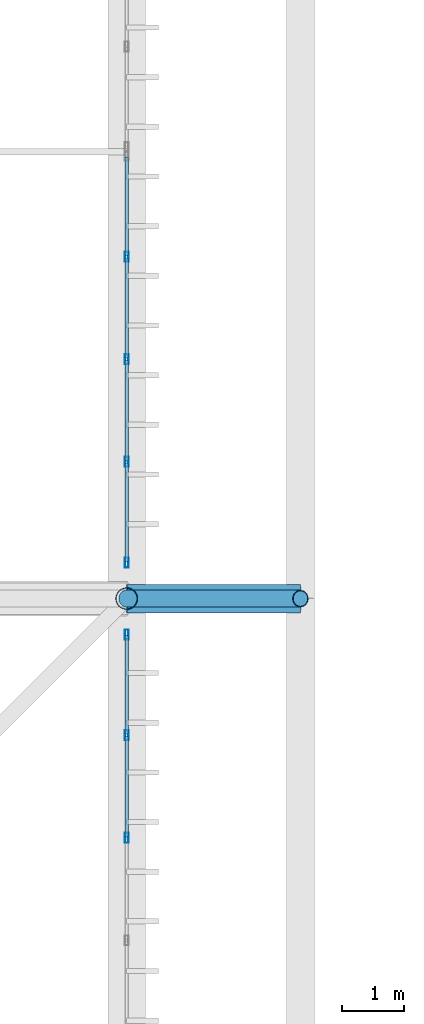
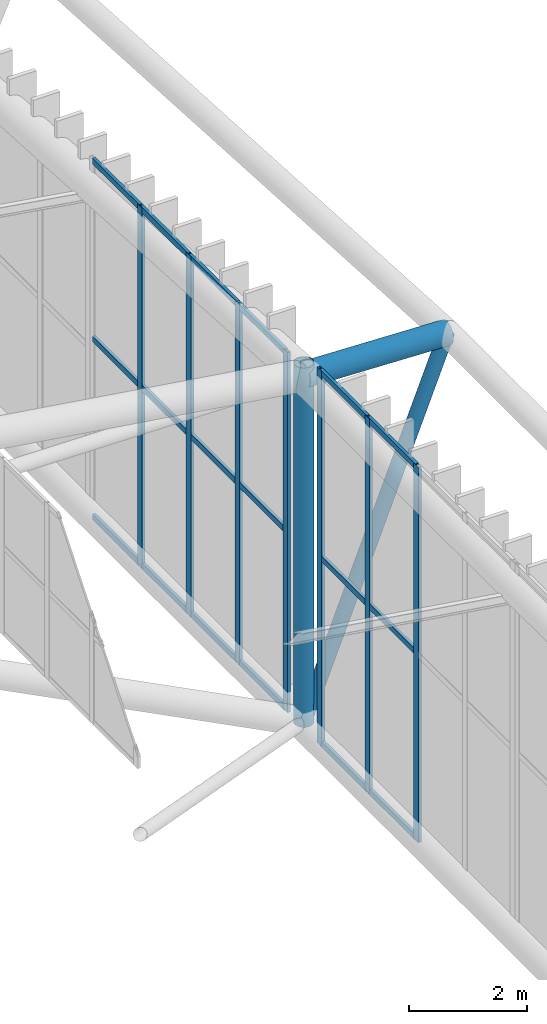
# One storey, part 282 of 397: 27 members, 1 beam, 2 elements without a shape of their own.
"""IFC4 building model written with IfcOpenShell, lengths in metres."""

from ifc_helpers import new_model, si_unit, direction, frame, origin, origin_2d, place, context, subcontext, project, spatial, hollow_rectangle, hollow_circle, extrude, material, material_profile, profile_set, type_object, element, aggregate, save


model = new_model("IFC4")

# Units and contexts
model_context = context("Model", 3, precision=1e-05, world=origin(), true_north=direction((0.0, 1.0)))
body_context = subcontext(model_context, "Body", "Model", "MODEL_VIEW")
ifc_project = project(units=[si_unit("LENGTHUNIT", "METRE"), si_unit("AREAUNIT", "SQUARE_METRE"), si_unit("VOLUMEUNIT", "CUBIC_METRE"), si_unit("PLANEANGLEUNIT", "RADIAN"), si_unit("MASSUNIT", "GRAM", prefix="KILO")], contexts=[model_context])

# Site, building, storey
site_placement = place(None, origin())
site = spatial("IfcSite", under=ifc_project, at=site_placement, CompositionType="ELEMENT")
building_placement = place(site_placement, origin())
building = spatial("IfcBuilding", under=site, at=building_placement, Name="Qandorah Velis Arena", CompositionType="ELEMENT")
storey_placement = place(building_placement, frame((0.0, 0.0, 27.5)))
storey = spatial("IfcBuildingStorey", under=building, at=storey_placement, Name="RF", CompositionType="ELEMENT", Elevation=27.5)

# Curtain wall, members
ifc_material_1 = material(Name="Solar-control low-E double glazing", Category="glass")
curtain_wall_type = type_object("IfcCurtainWallType", Name="ARC-CW-SYS14", PredefinedType="USERDEFINED", material=ifc_material_1)
curtain_wall_1_placement = place(storey_placement, origin())
curtain_wall_1 = element("IfcCurtainWall", 1, at=curtain_wall_1_placement, inside=storey, type_object=curtain_wall_type, Name="Unitised curtain wall CROWN-2-05S2", ObjectType="UNITISED CURTAIN WALL", PredefinedType="USERDEFINED")
ifc_material_2 = material(Name="Champagne-bronze anodized aluminium 6063-T6", Category="aluminium")
ifc_material_profile_1 = material_profile(ifc_material_2, hollow_rectangle(XDim=0.06005859375, YDim=0.159912109375, WallThickness=0.00341796875, at=origin_2d()), Name="ALU MULLION 60x160")
ifc_profile_set_1 = profile_set([ifc_material_profile_1], Name="Champagne-bronze anodized aluminium 6063-T6")
member_type_1 = type_object("IfcMemberType", Name="ARC-CWM-160", PredefinedType="MULLION", material=ifc_profile_set_1)
member_1_placement = place(storey_placement, frame((115.199951171875, 68.14501953125, -0.014892578125), z_axis=(0.0, 0.0, 1.0), x_axis=(-1.0, 0.0, 0.0)))
member_1 = element("IfcMember", 2, at=member_1_placement, type_object=member_type_1, Name="CW14 mullion 3", PredefinedType="MULLION", context=body_context, shape_type="SweptSolid", body=[
    extrude(hollow_rectangle(XDim=0.06005859375, YDim=0.159912109375, WallThickness=0.00341796875, at=origin_2d()), origin(), (0.0, 0.0, 1.0), 7.764892578125),
])
member_2_placement = place(storey_placement, frame((115.199951171875, 69.797607421875, -0.014892578125), z_axis=(0.0, 0.0, 1.0), x_axis=(-1.0, 0.0, 0.0)))
member_2 = element("IfcMember", 3, at=member_2_placement, type_object=member_type_1, Name="CW14 mullion 4", PredefinedType="MULLION", context=body_context, shape_type="SweptSolid", body=[
    extrude(hollow_rectangle(XDim=0.06005859375, YDim=0.159912109375, WallThickness=0.00341796875, at=origin_2d()), origin(), (0.0, 0.0, 1.0), 7.764892578125),
])
member_3_placement = place(storey_placement, frame((115.199951171875, 71.419921875, -0.014892578125), z_axis=(0.0, 0.0, 1.0), x_axis=(-1.0, 0.0, 0.0)))
member_3 = element("IfcMember", 4, at=member_3_placement, type_object=member_type_1, Name="CW14 mullion 5", PredefinedType="MULLION", context=body_context, shape_type="SweptSolid", body=[
    extrude(hollow_rectangle(XDim=0.06005859375, YDim=0.159912109375, WallThickness=0.00341796875, at=origin_2d()), origin(), (0.0, 0.0, 1.0), 7.764892578125),
])

curtain_wall_2_placement = place(storey_placement, origin())
curtain_wall_2 = element("IfcCurtainWall", 5, at=curtain_wall_2_placement, inside=storey, type_object=curtain_wall_type, Name="Unitised curtain wall CROWN-2-06S1", ObjectType="UNITISED CURTAIN WALL", PredefinedType="USERDEFINED")
member_4_placement = place(storey_placement, frame((115.199951171875, 72.580078125, -0.014892578125), z_axis=(0.0, 0.0, 1.0), x_axis=(-1.0, 0.0, 0.0)))
member_4 = element("IfcMember", 6, at=member_4_placement, type_object=member_type_1, Name="CW14 mullion 1", PredefinedType="MULLION", context=body_context, shape_type="SweptSolid", body=[
    extrude(hollow_rectangle(XDim=0.06005859375, YDim=0.159912109375, WallThickness=0.00341796875, at=origin_2d()), origin(), (0.0, 0.0, 1.0), 7.452392578125),
])
member_5_placement = place(storey_placement, frame((115.199951171875, 74.202392578125, -0.014892578125), z_axis=(0.0, 0.0, 1.0), x_axis=(-1.0, 0.0, 0.0)))
member_5 = element("IfcMember", 7, at=member_5_placement, type_object=member_type_1, Name="CW14 mullion 2", PredefinedType="MULLION", context=body_context, shape_type="SweptSolid", body=[
    extrude(hollow_rectangle(XDim=0.06005859375, YDim=0.159912109375, WallThickness=0.00341796875, at=origin_2d()), origin(), (0.0, 0.0, 1.0), 7.452392578125),
])
member_6_placement = place(storey_placement, frame((115.199951171875, 75.85498046875, -0.014892578125), z_axis=(0.0, 0.0, 1.0), x_axis=(-1.0, 0.0, 0.0)))
member_6 = element("IfcMember", 8, at=member_6_placement, type_object=member_type_1, Name="CW14 mullion 3", PredefinedType="MULLION", context=body_context, shape_type="SweptSolid", body=[
    extrude(hollow_rectangle(XDim=0.06005859375, YDim=0.159912109375, WallThickness=0.00341796875, at=origin_2d()), origin(), (0.0, 0.0, 1.0), 7.452392578125),
])
member_7_placement = place(storey_placement, frame((115.199951171875, 77.507568359375, -0.014892578125), z_axis=(0.0, 0.0, 1.0), x_axis=(-1.0, 0.0, 0.0)))
member_7 = element("IfcMember", 9, at=member_7_placement, type_object=member_type_1, Name="CW14 mullion 4", PredefinedType="MULLION", context=body_context, shape_type="SweptSolid", body=[
    extrude(hollow_rectangle(XDim=0.06005859375, YDim=0.159912109375, WallThickness=0.00341796875, at=origin_2d()), origin(), (0.0, 0.0, 1.0), 7.452392578125),
])

# Member
ifc_material_profile_2 = material_profile(ifc_material_2, hollow_rectangle(XDim=0.06005859375, YDim=0.1201171875, WallThickness=0.0029296875, at=origin_2d()), Name="ALU TRANSOM 60x120")
ifc_profile_set_2 = profile_set([ifc_material_profile_2], Name="Champagne-bronze anodized aluminium 6063-T6")
member_type_2 = type_object("IfcMemberType", Name="ARC-CWT-120", PredefinedType="USERDEFINED", material=ifc_profile_set_2)
member_8_placement = place(storey_placement, frame((115.199951171875, 68.1630859375, 0.030029296875), z_axis=(0.0, 1.0, 0.0), x_axis=(-1.0, 0.0, 0.0)))
member_8 = element("IfcMember", 10, at=member_8_placement, type_object=member_type_2, Name="CW14 transom 3.1", ObjectType="TRANSOM", PredefinedType="USERDEFINED", context=body_context, shape_type="SweptSolid", body=[
    extrude(hollow_rectangle(XDim=0.06005859375, YDim=0.1201171875, WallThickness=0.0029296875, at=origin_2d()), origin(), (0.0, 0.0, 1.0), 1.616455078125),
])

member_9_placement = place(storey_placement, frame((115.199951171875, 68.1630859375, 3.86767578125), z_axis=(0.0, 1.0, 0.0), x_axis=(-1.0, 0.0, 0.0)))
member_9 = element("IfcMember", 11, at=member_9_placement, type_object=member_type_2, Name="CW14 transom 3.2", ObjectType="TRANSOM", PredefinedType="USERDEFINED", context=body_context, shape_type="SweptSolid", body=[
    extrude(hollow_rectangle(XDim=0.06005859375, YDim=0.1201171875, WallThickness=0.0029296875, at=origin_2d()), origin(), (0.0, 0.0, 1.0), 1.616455078125),
])

member_10_placement = place(storey_placement, frame((115.199951171875, 68.1630859375, 7.705078125), z_axis=(0.0, 1.0, 0.0), x_axis=(-1.0, 0.0, 0.0)))
member_10 = element("IfcMember", 12, at=member_10_placement, type_object=member_type_2, Name="CW14 transom 3.3", ObjectType="TRANSOM", PredefinedType="USERDEFINED", context=body_context, shape_type="SweptSolid", body=[
    extrude(hollow_rectangle(XDim=0.06005859375, YDim=0.1201171875, WallThickness=0.0029296875, at=origin_2d()), origin(), (0.0, 0.0, 1.0), 1.616455078125),
])

member_11_placement = place(storey_placement, frame((115.199951171875, 69.8154296875, 0.030029296875), z_axis=(0.0, 1.0, 0.0), x_axis=(-1.0, 0.0, 0.0)))
member_11 = element("IfcMember", 13, at=member_11_placement, type_object=member_type_2, Name="CW14 transom 4.1", ObjectType="TRANSOM", PredefinedType="USERDEFINED", context=body_context, shape_type="SweptSolid", body=[
    extrude(hollow_rectangle(XDim=0.06005859375, YDim=0.1201171875, WallThickness=0.0029296875, at=origin_2d()), origin(), (0.0, 0.0, 1.0), 1.586669921875),
])

member_12_placement = place(storey_placement, frame((115.199951171875, 69.8154296875, 3.86767578125), z_axis=(0.0, 1.0, 0.0), x_axis=(-1.0, 0.0, 0.0)))
member_12 = element("IfcMember", 14, at=member_12_placement, type_object=member_type_2, Name="CW14 transom 4.2", ObjectType="TRANSOM", PredefinedType="USERDEFINED", context=body_context, shape_type="SweptSolid", body=[
    extrude(hollow_rectangle(XDim=0.06005859375, YDim=0.1201171875, WallThickness=0.0029296875, at=origin_2d()), origin(), (0.0, 0.0, 1.0), 1.586669921875),
])

member_13_placement = place(storey_placement, frame((115.199951171875, 69.8154296875, 7.705078125), z_axis=(0.0, 1.0, 0.0), x_axis=(-1.0, 0.0, 0.0)))
member_13 = element("IfcMember", 15, at=member_13_placement, type_object=member_type_2, Name="CW14 transom 4.3", ObjectType="TRANSOM", PredefinedType="USERDEFINED", context=body_context, shape_type="SweptSolid", body=[
    extrude(hollow_rectangle(XDim=0.06005859375, YDim=0.1201171875, WallThickness=0.0029296875, at=origin_2d()), origin(), (0.0, 0.0, 1.0), 1.586669921875),
])

aggregate(curtain_wall_1, [member_1, member_2, member_3, member_8, member_9, member_10, member_11, member_12, member_13])

member_14_placement = place(storey_placement, frame((115.199951171875, 72.597900390625, 0.030029296875), z_axis=(0.0, 1.0, 0.0), x_axis=(-1.0, 0.0, 0.0)))
member_14 = element("IfcMember", 16, at=member_14_placement, type_object=member_type_2, Name="CW14 transom 1.1", ObjectType="TRANSOM", PredefinedType="USERDEFINED", context=body_context, shape_type="SweptSolid", body=[
    extrude(hollow_rectangle(XDim=0.06005859375, YDim=0.1201171875, WallThickness=0.0029296875, at=origin_2d()), origin(), (0.0, 0.0, 1.0), 1.586669921875),
])

member_15_placement = place(storey_placement, frame((115.199951171875, 72.597900390625, 3.711181640625), z_axis=(0.0, 1.0, 0.0), x_axis=(-1.0, 0.0, 0.0)))
member_15 = element("IfcMember", 17, at=member_15_placement, type_object=member_type_2, Name="CW14 transom 1.2", ObjectType="TRANSOM", PredefinedType="USERDEFINED", context=body_context, shape_type="SweptSolid", body=[
    extrude(hollow_rectangle(XDim=0.06005859375, YDim=0.1201171875, WallThickness=0.0029296875, at=origin_2d()), origin(), (0.0, 0.0, 1.0), 1.586669921875),
])

member_16_placement = place(storey_placement, frame((115.199951171875, 72.597900390625, 7.392578125), z_axis=(0.0, 1.0, 0.0), x_axis=(-1.0, 0.0, 0.0)))
member_16 = element("IfcMember", 18, at=member_16_placement, type_object=member_type_2, Name="CW14 transom 1.3", ObjectType="TRANSOM", PredefinedType="USERDEFINED", context=body_context, shape_type="SweptSolid", body=[
    extrude(hollow_rectangle(XDim=0.06005859375, YDim=0.1201171875, WallThickness=0.0029296875, at=origin_2d()), origin(), (0.0, 0.0, 1.0), 1.586669921875),
])

member_17_placement = place(storey_placement, frame((115.199951171875, 74.220458984375, 0.030029296875), z_axis=(0.0, 1.0, 0.0), x_axis=(-1.0, 0.0, 0.0)))
member_17 = element("IfcMember", 19, at=member_17_placement, type_object=member_type_2, Name="CW14 transom 2.1", ObjectType="TRANSOM", PredefinedType="USERDEFINED", context=body_context, shape_type="SweptSolid", body=[
    extrude(hollow_rectangle(XDim=0.06005859375, YDim=0.1201171875, WallThickness=0.0029296875, at=origin_2d()), origin(), (0.0, 0.0, 1.0), 1.616455078125),
])

member_18_placement = place(storey_placement, frame((115.199951171875, 74.220458984375, 3.711181640625), z_axis=(0.0, 1.0, 0.0), x_axis=(-1.0, 0.0, 0.0)))
member_18 = element("IfcMember", 20, at=member_18_placement, type_object=member_type_2, Name="CW14 transom 2.2", ObjectType="TRANSOM", PredefinedType="USERDEFINED", context=body_context, shape_type="SweptSolid", body=[
    extrude(hollow_rectangle(XDim=0.06005859375, YDim=0.1201171875, WallThickness=0.0029296875, at=origin_2d()), origin(), (0.0, 0.0, 1.0), 1.616455078125),
])

member_19_placement = place(storey_placement, frame((115.199951171875, 74.220458984375, 7.392578125), z_axis=(0.0, 1.0, 0.0), x_axis=(-1.0, 0.0, 0.0)))
member_19 = element("IfcMember", 21, at=member_19_placement, type_object=member_type_2, Name="CW14 transom 2.3", ObjectType="TRANSOM", PredefinedType="USERDEFINED", context=body_context, shape_type="SweptSolid", body=[
    extrude(hollow_rectangle(XDim=0.06005859375, YDim=0.1201171875, WallThickness=0.0029296875, at=origin_2d()), origin(), (0.0, 0.0, 1.0), 1.616455078125),
])

member_20_placement = place(storey_placement, frame((115.199951171875, 75.873046875, 0.030029296875), z_axis=(0.0, 1.0, 0.0), x_axis=(-1.0, 0.0, 0.0)))
member_20 = element("IfcMember", 22, at=member_20_placement, type_object=member_type_2, Name="CW14 transom 3.1", ObjectType="TRANSOM", PredefinedType="USERDEFINED", context=body_context, shape_type="SweptSolid", body=[
    extrude(hollow_rectangle(XDim=0.06005859375, YDim=0.1201171875, WallThickness=0.0029296875, at=origin_2d()), origin(), (0.0, 0.0, 1.0), 1.616455078125),
])

member_21_placement = place(storey_placement, frame((115.199951171875, 75.873046875, 3.711181640625), z_axis=(0.0, 1.0, 0.0), x_axis=(-1.0, 0.0, 0.0)))
member_21 = element("IfcMember", 23, at=member_21_placement, type_object=member_type_2, Name="CW14 transom 3.2", ObjectType="TRANSOM", PredefinedType="USERDEFINED", context=body_context, shape_type="SweptSolid", body=[
    extrude(hollow_rectangle(XDim=0.06005859375, YDim=0.1201171875, WallThickness=0.0029296875, at=origin_2d()), origin(), (0.0, 0.0, 1.0), 1.616455078125),
])

member_22_placement = place(storey_placement, frame((115.199951171875, 75.873046875, 7.392578125), z_axis=(0.0, 1.0, 0.0), x_axis=(-1.0, 0.0, 0.0)))
member_22 = element("IfcMember", 24, at=member_22_placement, type_object=member_type_2, Name="CW14 transom 3.3", ObjectType="TRANSOM", PredefinedType="USERDEFINED", context=body_context, shape_type="SweptSolid", body=[
    extrude(hollow_rectangle(XDim=0.06005859375, YDim=0.1201171875, WallThickness=0.0029296875, at=origin_2d()), origin(), (0.0, 0.0, 1.0), 1.616455078125),
])

member_23_placement = place(storey_placement, frame((115.199951171875, 77.525390625, 0.030029296875), z_axis=(0.0, 1.0, 0.0), x_axis=(-1.0, 0.0, 0.0)))
member_23 = element("IfcMember", 25, at=member_23_placement, type_object=member_type_2, Name="CW14 transom 4.1", ObjectType="TRANSOM", PredefinedType="USERDEFINED", context=body_context, shape_type="SweptSolid", body=[
    extrude(hollow_rectangle(XDim=0.06005859375, YDim=0.1201171875, WallThickness=0.0029296875, at=origin_2d()), origin(), (0.0, 0.0, 1.0), 1.586669921875),
])

member_24_placement = place(storey_placement, frame((115.199951171875, 77.525390625, 3.711181640625), z_axis=(0.0, 1.0, 0.0), x_axis=(-1.0, 0.0, 0.0)))
member_24 = element("IfcMember", 26, at=member_24_placement, type_object=member_type_2, Name="CW14 transom 4.2", ObjectType="TRANSOM", PredefinedType="USERDEFINED", context=body_context, shape_type="SweptSolid", body=[
    extrude(hollow_rectangle(XDim=0.06005859375, YDim=0.1201171875, WallThickness=0.0029296875, at=origin_2d()), origin(), (0.0, 0.0, 1.0), 1.586669921875),
])

member_25_placement = place(storey_placement, frame((115.199951171875, 77.525390625, 7.392578125), z_axis=(0.0, 1.0, 0.0), x_axis=(-1.0, 0.0, 0.0)))
member_25 = element("IfcMember", 27, at=member_25_placement, type_object=member_type_2, Name="CW14 transom 4.3", ObjectType="TRANSOM", PredefinedType="USERDEFINED", context=body_context, shape_type="SweptSolid", body=[
    extrude(hollow_rectangle(XDim=0.06005859375, YDim=0.1201171875, WallThickness=0.0029296875, at=origin_2d()), origin(), (0.0, 0.0, 1.0), 1.586669921875),
])

aggregate(curtain_wall_2, [member_4, member_5, member_6, member_7, member_14, member_15, member_16, member_17, member_18, member_19, member_20, member_21, member_22, member_23, member_24, member_25])

# Beam
ifc_material_3 = material(Name="Steel S355", Category="steel")
ifc_material_profile_3 = material_profile(ifc_material_3, hollow_circle(Radius=0.228515625, WallThickness=0.01611328125, at=origin_2d()), Name="CHS 457x16")
ifc_profile_set_3 = profile_set([ifc_material_profile_3], Name="Steel S355")
beam_type = type_object("IfcBeamType", Name="STR-SFC-CHS457X16", PredefinedType="USERDEFINED", material=ifc_profile_set_3)
beam_placement = place(storey_placement, frame((115.199951171875, 72.0, 7.2705078125), z_axis=(0.999364739976, 0.0, -0.035638693753), x_axis=(0.0, 1.0, 0.0)))
element("IfcBeam", 28, at=beam_placement, inside=storey, type_object=beam_type, Name="Space frame eave outrigger E-4", ObjectType="ROOF TRUSS", PredefinedType="USERDEFINED", context=body_context, shape_type="SweptSolid", body=[
    extrude(hollow_circle(Radius=0.228515625, WallThickness=0.01611328125, at=origin_2d()), origin(), (0.0, 0.0, 1.0), 2.8017578125),
])

# Members
ifc_material_profile_4 = material_profile(ifc_material_3, hollow_circle(Radius=0.136474609375, WallThickness=0.012451171875, at=origin_2d()), Name="CHS 273x12.5")
ifc_profile_set_4 = profile_set([ifc_material_profile_4], Name="Steel S355")
member_type_3 = type_object("IfcMemberType", Name="STR-SFD-CHS273X12", PredefinedType="STRUT", material=ifc_profile_set_4)
member_26_placement = place(storey_placement, frame((115.199951171875, 72.0, 0.10009765625), z_axis=(0.368194737102, 0.0, 0.929748694847), x_axis=(0.0, 1.0, 0.0)))
element("IfcMember", 29, at=member_26_placement, inside=storey, type_object=member_type_3, Name="Space frame eave raking strut E-4", PredefinedType="STRUT", context=body_context, shape_type="SweptSolid", body=[
    extrude(hollow_circle(Radius=0.136474609375, WallThickness=0.012451171875, at=origin_2d()), origin(), (0.0, 0.0, 1.0), 7.604736328125),
])
ifc_material_profile_5 = material_profile(ifc_material_3, hollow_circle(Radius=0.177734375, WallThickness=0.012451171875, at=origin_2d()), Name="CHS 355.6x12.5")
ifc_profile_set_5 = profile_set([ifc_material_profile_5], Name="Steel S355")
member_type_4 = type_object("IfcMemberType", Name="STR-SFD-CHS355X12", PredefinedType="STRUT", material=ifc_profile_set_5)
member_27_placement = place(storey_placement, frame((115.199951171875, 72.0, 0.10009765625), z_axis=(0.0, 0.0, 1.0), x_axis=(1.0, 0.0, 0.0)))
element("IfcMember", 30, at=member_27_placement, inside=storey, type_object=member_type_4, Name="Space frame roof vertical post 7.4", PredefinedType="STRUT", context=body_context, shape_type="SweptSolid", body=[
    extrude(hollow_circle(Radius=0.177734375, WallThickness=0.012451171875, at=origin_2d()), origin(), (0.0, 0.0, 1.0), 7.430419921875),
])

save(model, "model.ifc")
